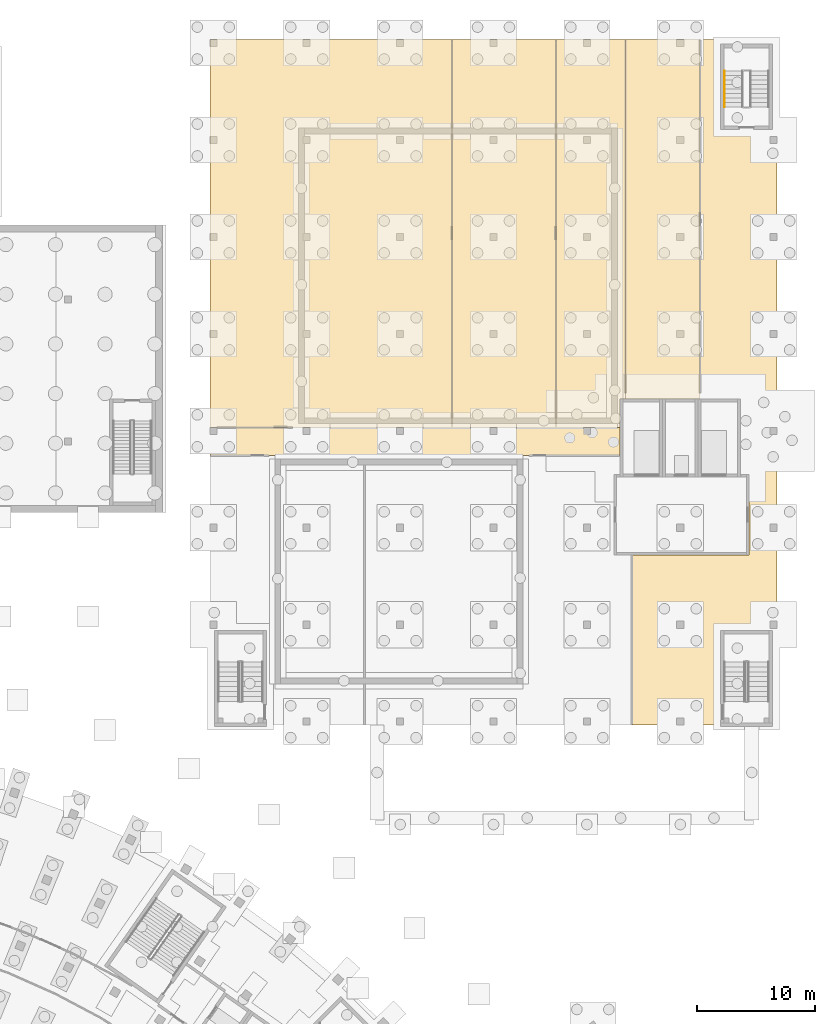
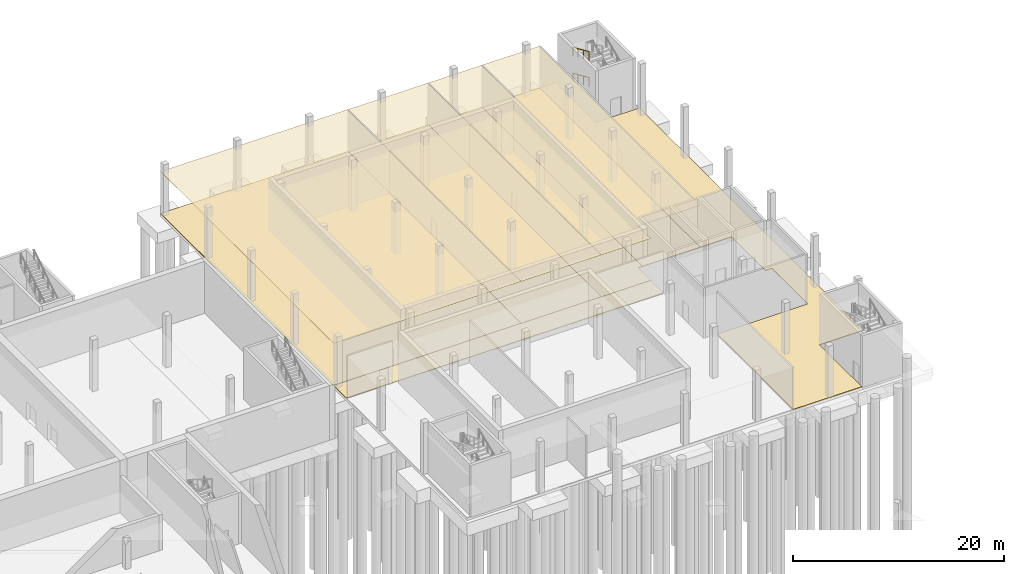
# One storey, part 63 of 66: 10 coverings, 2 railings.
"""IFC4 building model written with IfcOpenShell, lengths in metres."""

from ifc_helpers import new_model, si_unit, direction, frame, origin, origin_2d, place, context, subcontext, project, spatial, polyline, circle, outline, extrude, material, layer, layer_set, type_object, element, save


model = new_model("IFC4")

# Units and contexts
model_context = context("Model", 3, precision=1e-05, world=origin(), true_north=direction((0.0, 1.0)))
body_context = subcontext(model_context, "Body", "Model", "MODEL_VIEW")
ifc_project = project(units=[si_unit("LENGTHUNIT", "METRE"), si_unit("AREAUNIT", "SQUARE_METRE"), si_unit("VOLUMEUNIT", "CUBIC_METRE"), si_unit("PLANEANGLEUNIT", "RADIAN"), si_unit("MASSUNIT", "GRAM", prefix="KILO")], contexts=[model_context])

# Site, building, storey
site_placement = place(None, origin())
site = spatial("IfcSite", under=ifc_project, at=site_placement, CompositionType="ELEMENT")
building_placement = place(site_placement, origin())
building = spatial("IfcBuilding", under=site, at=building_placement, Name="Lunette Opera House", CompositionType="ELEMENT")
storey_placement = place(building_placement, frame((0.0, 0.0, -6.0)))
storey = spatial("IfcBuildingStorey", under=building, at=storey_placement, Name="B1", CompositionType="ELEMENT", Elevation=-6.0)

# Coverings
ifc_material_1 = material(Name="Cement screed")
ifc_layer_1 = layer(ifc_material_1, 0.070068359375)
ifc_layer_set_1 = layer_set([ifc_layer_1], Name="Cement screed")
covering_type_1 = type_object("IfcCoveringType", Name="SCREED FLOOR FINISH 70", PredefinedType="FLOORING", material=ifc_layer_set_1)
covering_1_placement = place(storey_placement, origin())
element("IfcCovering", 1, at=covering_1_placement, inside=storey, type_object=covering_type_1, Name="Floor finish Scenery Store Main", PredefinedType="FLOORING", context=body_context, shape_type="SweptSolid", body=[
    extrude(outline(polyline([(136.0, 103.199951171875), (136.0, 136.0), (156.488037109375, 136.0), (156.488037109375, 103.199951171875), (136.0, 103.199951171875)])), origin(), (0.0, 0.0, 1.0), 0.070068359375),
])
covering_2_placement = place(storey_placement, origin())
element("IfcCovering", 2, at=covering_2_placement, inside=storey, type_object=covering_type_1, Name="Floor finish Costume Store Lower", PredefinedType="FLOORING", context=body_context, shape_type="SweptSolid", body=[
    extrude(outline(polyline([(156.488037109375, 103.199951171875), (156.488037109375, 136.0), (165.26904296875, 136.0), (165.26904296875, 103.199951171875), (156.488037109375, 103.199951171875)])), origin(), (0.0, 0.0, 1.0), 0.070068359375),
])
covering_3_placement = place(storey_placement, origin())
element("IfcCovering", 3, at=covering_3_placement, inside=storey, type_object=covering_type_1, Name="Floor finish Workshop Plant Room", PredefinedType="FLOORING", context=body_context, shape_type="SweptSolid", body=[
    extrude(outline(polyline([(170.699951171875, 105.60009765625), (170.699951171875, 103.199951171875), (165.26904296875, 103.199951171875), (165.26904296875, 136.0), (171.156982421875, 136.0), (171.156982421875, 105.60009765625), (170.699951171875, 105.60009765625)])), origin(), (0.0, 0.0, 1.0), 0.070068359375),
])
covering_4_placement = place(storey_placement, origin())
element("IfcCovering", 4, at=covering_4_placement, inside=storey, type_object=covering_type_1, Name="Floor finish Sprinkler Tank and Pump Room", PredefinedType="FLOORING", context=body_context, shape_type="SweptSolid", body=[
    extrude(outline(polyline([(174.300048828125, 105.60009765625), (171.156982421875, 105.60009765625), (171.156982421875, 136.0), (177.472900390625, 136.0), (177.472900390625, 105.60009765625), (177.300048828125, 105.60009765625), (174.300048828125, 105.60009765625)])), origin(), (0.0, 0.0, 1.0), 0.070068359375),
])
covering_5_placement = place(storey_placement, origin())
element("IfcCovering", 5, at=covering_5_placement, inside=storey, type_object=covering_type_1, Name="Floor finish Service Corridor B1 Workshop", PredefinedType="FLOORING", context=body_context, shape_type="SweptSolid", body=[
    extrude(outline(polyline([(180.89990234375, 99.199951171875), (180.89990234375, 100.800048828125), (180.89990234375, 103.199951171875), (180.89990234375, 105.60009765625), (177.472900390625, 105.60009765625), (177.472900390625, 136.0), (179.198974609375, 136.0), (179.198974609375, 135.597900390625), (179.199951171875, 135.597900390625), (179.199951171875, 128.39990234375), (183.597900390625, 128.39990234375), (183.597900390625, 128.39892578125), (184.0, 128.39892578125), (184.0, 103.199951171875), (184.0, 100.800048828125), (184.0, 86.0009765625), (183.597900390625, 86.0009765625), (183.597900390625, 86.0), (179.199951171875, 86.0), (179.199951171875, 78.201904296875), (179.198974609375, 78.201904296875), (179.198974609375, 78.0), (171.712890625, 78.0), (171.712890625, 92.39990234375), (181.60009765625, 92.39990234375), (181.60009765625, 99.199951171875), (180.89990234375, 99.199951171875)])), origin(), (0.0, 0.0, 1.0), 0.070068359375),
])
covering_6_placement = place(storey_placement, origin())
element("IfcCovering", 6, at=covering_6_placement, inside=storey, type_object=covering_type_1, Name="Floor finish Service Corridor B1 Workshop West South", PredefinedType="FLOORING", context=body_context, shape_type="SweptSolid", body=[
    extrude(outline(polyline([(136.0, 100.800048828125), (136.0, 103.199951171875), (170.699951171875, 103.199951171875), (170.699951171875, 100.800048828125), (136.0, 100.800048828125)])), origin(), (0.0, 0.0, 1.0), 0.070068359375),
])

# Railings
ifc_material_2 = material(Name="Steel S355", Category="steel")
railing_type = type_object("IfcRailingType", Name="STAIR HANDRAIL 1000", PredefinedType="HANDRAIL", material=ifc_material_2)
for number, where, name in (
    (7, (179.550048828125, 133.340087890625, 1.666748046875), "B1 ST19 stair handrail 2"),
    (8, (179.550048828125, 133.340087890625, 4.666748046875), "B1 ST19 stair handrail 4"),
):
    element("IfcRailing", number, at=place(storey_placement, frame(where)), inside=storey, type_object=railing_type, Name=name, PredefinedType="HANDRAIL", context=body_context, shape_type="SweptSolid", body=[
        extrude(circle(Radius=0.02392578125, at=origin_2d()), frame((0.0, 0.0, 0.97607421875), z_axis=(0.0, -0.915799124602, 0.401636606124), x_axis=(1.0, 0.0, 0.0)), (0.0, 0.0, 1.0), 3.319580078125),
        extrude(circle(Radius=0.02099609375, at=origin_2d()), origin(), (0.0, 0.0, 1.0), 0.951904296875),
        extrude(circle(Radius=0.02099609375, at=origin_2d()), frame((0.0, -1.013427734375, 0.4443359375)), (0.0, 0.0, 1.0), 0.951904296875),
        extrude(circle(Radius=0.02099609375, at=origin_2d()), frame((0.0, -2.026611328125, 0.888916015625)), (0.0, 0.0, 1.0), 0.951904296875),
        extrude(circle(Radius=0.02099609375, at=origin_2d()), frame((0.0, -3.0400390625, 1.333251953125)), (0.0, 0.0, 1.0), 0.951904296875),
    ])

# Coverings
ifc_material_3 = material(Name="Mineral fibre board")
ifc_layer_2 = layer(ifc_material_3, 0.014892578125)
ifc_layer_set_2 = layer_set([ifc_layer_2], Name="Mineral fibre board")
covering_type_2 = type_object("IfcCoveringType", Name="SUSPENDED ACOUSTIC CEILING 15", PredefinedType="CEILING", material=ifc_layer_set_2)
covering_7_placement = place(storey_placement, frame((0.0, 0.0, 4.885009765625)))
element("IfcCovering", 9, at=covering_7_placement, inside=storey, type_object=covering_type_2, Name="Ceiling Scenery Store Main", PredefinedType="CEILING", context=body_context, shape_type="SweptSolid", body=[
    extrude(outline(polyline([(136.0, 103.199951171875), (136.0, 136.0), (156.488037109375, 136.0), (156.488037109375, 103.199951171875), (136.0, 103.199951171875)])), origin(), (0.0, 0.0, 1.0), 0.014892578125),
])
covering_8_placement = place(storey_placement, frame((0.0, 0.0, 4.885009765625)))
element("IfcCovering", 10, at=covering_8_placement, inside=storey, type_object=covering_type_2, Name="Ceiling Costume Store Lower", PredefinedType="CEILING", context=body_context, shape_type="SweptSolid", body=[
    extrude(outline(polyline([(156.488037109375, 103.199951171875), (156.488037109375, 136.0), (165.26904296875, 136.0), (165.26904296875, 103.199951171875), (156.488037109375, 103.199951171875)])), origin(), (0.0, 0.0, 1.0), 0.014892578125),
])
covering_9_placement = place(storey_placement, frame((0.0, 0.0, 4.885009765625)))
element("IfcCovering", 11, at=covering_9_placement, inside=storey, type_object=covering_type_2, Name="Ceiling Workshop Plant Room", PredefinedType="CEILING", context=body_context, shape_type="SweptSolid", body=[
    extrude(outline(polyline([(170.699951171875, 105.60009765625), (170.699951171875, 103.199951171875), (165.26904296875, 103.199951171875), (165.26904296875, 136.0), (171.156982421875, 136.0), (171.156982421875, 105.60009765625), (170.699951171875, 105.60009765625)])), origin(), (0.0, 0.0, 1.0), 0.014892578125),
])
covering_10_placement = place(storey_placement, frame((0.0, 0.0, 4.885009765625)))
element("IfcCovering", 12, at=covering_10_placement, inside=storey, type_object=covering_type_2, Name="Ceiling Sprinkler Tank and Pump Room", PredefinedType="CEILING", context=body_context, shape_type="SweptSolid", body=[
    extrude(outline(polyline([(174.300048828125, 105.60009765625), (171.156982421875, 105.60009765625), (171.156982421875, 136.0), (177.472900390625, 136.0), (177.472900390625, 105.60009765625), (177.300048828125, 105.60009765625), (174.300048828125, 105.60009765625)])), origin(), (0.0, 0.0, 1.0), 0.014892578125),
])

save(model, "model.ifc")
